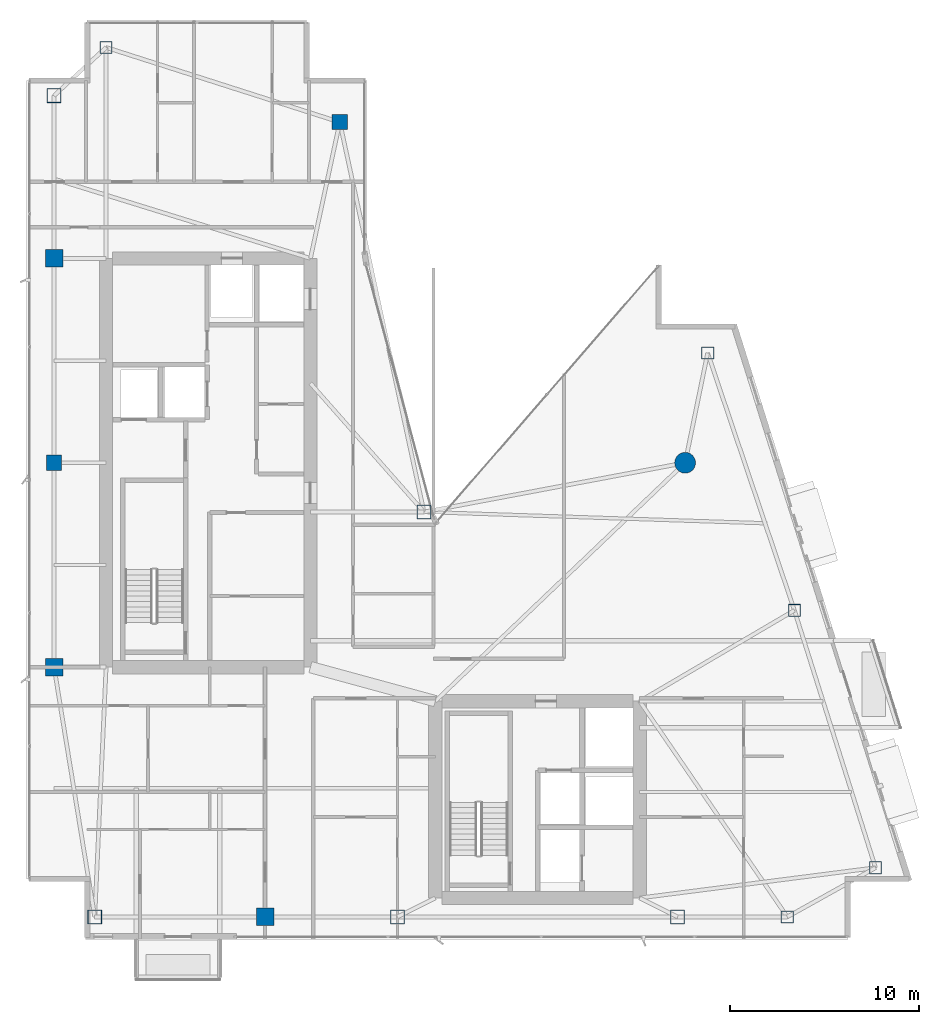
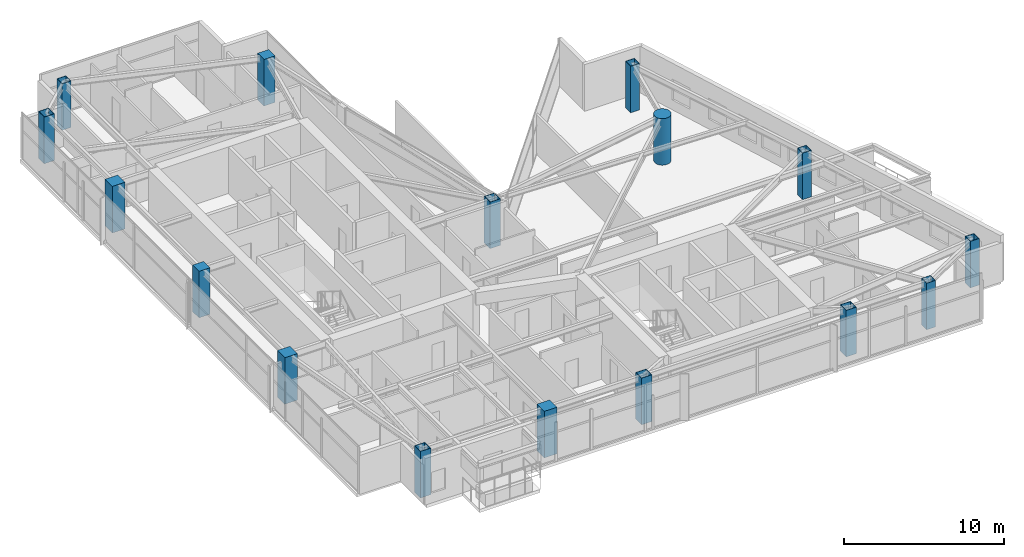
# One storey, part 1 of 29: 16 columns.
"""IFC4 building model written with IfcOpenShell, lengths in metres."""

from ifc_helpers import new_model, si_unit, direction, frame, origin, origin_2d, place, context, subcontext, project, spatial, rectangle, hollow_rectangle, circle, extrude, material, material_profile, profile_set, type_object, element, save


model = new_model("IFC4")

# Units and contexts
model_context = context("Model", 3, precision=1e-05, world=origin(), true_north=direction((0.0, 1.0)))
body_context = subcontext(model_context, "Body", "Model", "MODEL_VIEW")
ifc_project = project(units=[si_unit("LENGTHUNIT", "METRE"), si_unit("AREAUNIT", "SQUARE_METRE"), si_unit("VOLUMEUNIT", "CUBIC_METRE"), si_unit("PLANEANGLEUNIT", "RADIAN"), si_unit("MASSUNIT", "GRAM", prefix="KILO")], contexts=[model_context])

# Site, building, storey
site_placement = place(None, origin())
site = spatial("IfcSite", under=ifc_project, at=site_placement, CompositionType="ELEMENT")
building_placement = place(site_placement, origin())
building = spatial("IfcBuilding", under=site, at=building_placement, Name="Calvorn Quay Hotel", CompositionType="ELEMENT")
storey_placement = place(building_placement, frame((0.0, 0.0, 247.60009765625)))
storey = spatial("IfcBuildingStorey", under=building, at=storey_placement, Name="L61", CompositionType="ELEMENT", Elevation=247.60009765625)

# Columns
ifc_material_1 = material(Name="Concrete C45", Category="concrete")
ifc_material_profile_1 = material_profile(ifc_material_1, rectangle(XDim=0.800048828125, YDim=0.800048828125, at=origin_2d()), Name="RC800x800")
ifc_profile_set_1 = profile_set([ifc_material_profile_1], Name="Concrete C45")
column_type_1 = type_object("IfcColumnType", Name="COL-RC-800", PredefinedType="COLUMN", material=ifc_profile_set_1)
for number, where, z_axis, x_axis, name in (
    (1, (1.449951171875, 27.60009765625, 0.0), (0.0, 0.0, 1.0), (1.0, 0.0, 0.0), "Column C-W3 (L61)"),
    (2, (16.550048828125, 45.60009765625, 0.0), (0.0, 0.0, 1.0), (1.0, 0.0, 0.0), "Column C-IC1 (L61)"),
):
    element("IfcColumn", number, at=place(storey_placement, frame(where, z_axis=z_axis, x_axis=x_axis)), inside=storey, type_object=column_type_1, Name=name, PredefinedType="COLUMN", context=body_context, shape_type="SweptSolid", body=[
        extrude(rectangle(XDim=0.800048828125, YDim=0.800048828125, at=origin_2d()), origin(), (0.0, 0.0, 1.0), 3.559814453125),
    ])
ifc_material_2 = material(Name="Concrete C45", Category="concrete")
ifc_material_profile_2 = material_profile(ifc_material_2, rectangle(XDim=0.919921875, YDim=0.919921875, at=origin_2d()), Name="RC920x920")
ifc_profile_set_2 = profile_set([ifc_material_profile_2], Name="Concrete C45")
column_type_2 = type_object("IfcColumnType", Name="COL-RC-920", PredefinedType="COLUMN", material=ifc_profile_set_2)
for number, where, z_axis, x_axis, name in (
    (3, (1.449951171875, 16.800048828125, 0.0), (0.0, 0.0, 1.0), (1.0, 0.0, 0.0), "Column C-W2 (L61)"),
    (4, (1.449951171875, 38.39990234375, 0.0), (0.0, 0.0, 1.0), (1.0, 0.0, 0.0), "Column C-W4 (L61)"),
    (5, (12.60009765625, 3.60009765625, 0.0), (0.0, 0.0, 1.0), (1.0, 0.0, 0.0), "Column C-S1 (L61)"),
):
    element("IfcColumn", number, at=place(storey_placement, frame(where, z_axis=z_axis, x_axis=x_axis)), inside=storey, type_object=column_type_2, Name=name, PredefinedType="COLUMN", context=body_context, shape_type="SweptSolid", body=[
        extrude(rectangle(XDim=0.919921875, YDim=0.919921875, at=origin_2d()), origin(), (0.0, 0.0, 1.0), 3.559814453125),
    ])
ifc_material_3 = material(Name="Concrete C50", Category="concrete")
ifc_material_profile_3 = material_profile(ifc_material_3, circle(Radius=0.550048828125, at=origin_2d()), Name="RCD1100")
ifc_profile_set_3 = profile_set([ifc_material_profile_3], Name="Concrete C50")
column_type_3 = type_object("IfcColumnType", Name="COL-RC-D1100", PredefinedType="COLUMN", material=ifc_profile_set_3)
column_placement = place(storey_placement, frame((34.800048828125, 27.60009765625, 0.0), z_axis=(0.0, 0.0, 1.0), x_axis=(1.0, 0.0, 0.0)))
element("IfcColumn", 6, at=column_placement, inside=storey, type_object=column_type_3, Name="Column C-NC1 (L61)", PredefinedType="COLUMN", context=body_context, shape_type="SweptSolid", body=[
    extrude(circle(Radius=0.550048828125, at=origin_2d()), origin(), (0.0, 0.0, 1.0), 3.559814453125),
])
ifc_material_4 = material(Name="Steel Q390GJC", Category="steel")
ifc_material_profile_4 = material_profile(ifc_material_4, hollow_rectangle(XDim=0.75, YDim=0.75, WallThickness=0.031982421875, at=origin_2d()), Name="BOX750x750x32")
ifc_profile_set_4 = profile_set([ifc_material_profile_4], Name="Steel Q390GJC")
column_type_4 = type_object("IfcColumnType", Name="COL-STL-Z3", PredefinedType="COLUMN", material=ifc_profile_set_4)
for number, where, z_axis, x_axis, name in (
    (7, (3.60009765625, 3.60009765625, 0.0), (0.0, 0.0, 1.0), (1.0, 0.0, 0.0), "Column C-W1 (L61)"),
    (8, (1.449951171875, 47.0, 0.0), (0.0, 0.0, 1.0), (1.0, 0.0, 0.0), "Column C-W5 (L61)"),
    (9, (21.0, 25.0, 0.0), (0.0, 0.0, 1.0), (1.0, 0.0, 0.0), "Column C-IC2 (L61)"),
    (10, (19.60009765625, 3.60009765625, 0.0), (0.0, 0.0, 1.0), (1.0, 0.0, 0.0), "Column C-S2 (L61)"),
    (11, (34.39990234375, 3.60009765625, 0.0), (0.0, 0.0, 1.0), (1.0, 0.0, 0.0), "Column C-S3 (L61)"),
):
    element("IfcColumn", number, at=place(storey_placement, frame(where, z_axis=z_axis, x_axis=x_axis)), inside=storey, type_object=column_type_4, Name=name, PredefinedType="COLUMN", context=body_context, shape_type="SweptSolid", body=[
        extrude(hollow_rectangle(XDim=0.75, YDim=0.75, WallThickness=0.031982421875, at=origin_2d()), origin(), (0.0, 0.0, 1.0), 3.559814453125),
    ])
ifc_material_5 = material(Name="Steel Q355B", Category="steel")
ifc_material_profile_5 = material_profile(ifc_material_5, hollow_rectangle(XDim=0.64990234375, YDim=0.64990234375, WallThickness=0.028076171875, at=origin_2d()), Name="BOX650x650x28")
ifc_profile_set_5 = profile_set([ifc_material_profile_5], Name="Steel Q355B")
column_type_5 = type_object("IfcColumnType", Name="COL-STL-Z4", PredefinedType="COLUMN", material=ifc_profile_set_5)
for number, where, z_axis, x_axis, name in (
    (12, (4.199951171875, 49.550048828125, 0.0), (0.0, 0.0, 1.0), (1.0, 0.0, 0.0), "Column C-NW1 (L61)"),
    (13, (40.199951171875, 3.60009765625, 0.0), (0.0, 0.0, 1.0), (1.0, 0.0, 0.0), "Column C-S4 (L61)"),
    (14, (44.861083984375, 6.199951171875, 0.0), (0.0, 0.0, 1.0), (1.0, 0.0, 0.0), "Column C-ET1 (L61)"),
    (15, (40.575927734375, 19.800048828125, 0.0), (0.0, 0.0, 1.0), (1.0, 0.0, 0.0), "Column C-ET2 (L61)"),
    (16, (35.990966796875, 33.39990234375, 0.0), (0.0, 0.0, 1.0), (1.0, 0.0, 0.0), "Column C-ET3 (L61)"),
):
    element("IfcColumn", number, at=place(storey_placement, frame(where, z_axis=z_axis, x_axis=x_axis)), inside=storey, type_object=column_type_5, Name=name, PredefinedType="COLUMN", context=body_context, shape_type="SweptSolid", body=[
        extrude(hollow_rectangle(XDim=0.64990234375, YDim=0.64990234375, WallThickness=0.028076171875, at=origin_2d()), origin(), (0.0, 0.0, 1.0), 3.559814453125),
    ])

save(model, "model.ifc")
